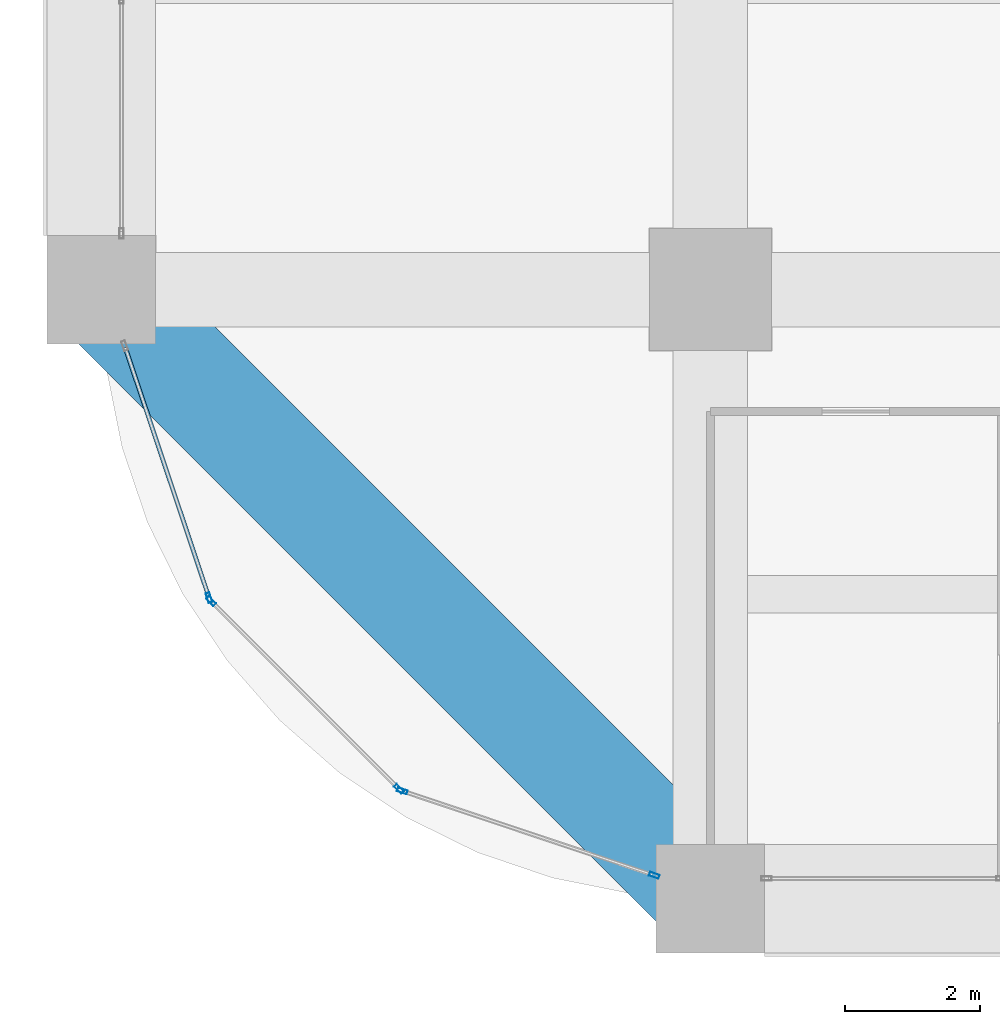
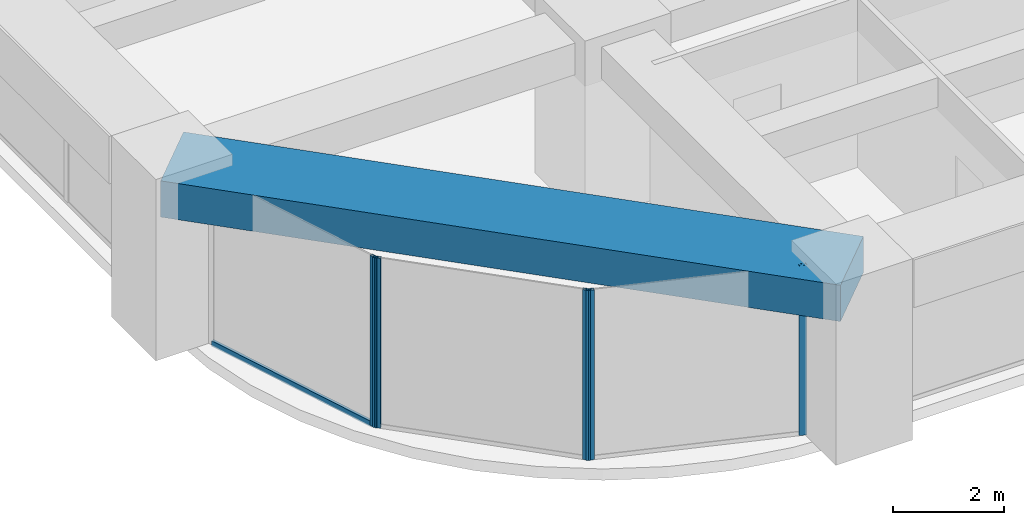
# One storey, part 2 of 42: 6 members, 1 beam, 3 elements without a shape of their own.
"""IFC4 building model written with IfcOpenShell, lengths in metres."""

from ifc_helpers import new_model, si_unit, direction, frame, origin, origin_2d, place, context, subcontext, project, spatial, rectangle, hollow_rectangle, extrude, material, material_profile, profile_set, type_object, element, aggregate, save


model = new_model("IFC4")

# Units and contexts
model_context = context("Model", 3, precision=1e-05, world=origin(), true_north=direction((0.0, 1.0)))
body_context = subcontext(model_context, "Body", "Model", "MODEL_VIEW")
ifc_project = project(units=[si_unit("LENGTHUNIT", "METRE"), si_unit("AREAUNIT", "SQUARE_METRE"), si_unit("VOLUMEUNIT", "CUBIC_METRE"), si_unit("PLANEANGLEUNIT", "RADIAN"), si_unit("MASSUNIT", "GRAM", prefix="KILO")], contexts=[model_context])

# Site, building, storey
site_placement = place(None, origin())
site = spatial("IfcSite", under=ifc_project, at=site_placement, CompositionType="ELEMENT")
building_placement = place(site_placement, origin())
building = spatial("IfcBuilding", under=site, at=building_placement, Name="Zorevar Civic Tower", CompositionType="ELEMENT")
storey_placement = place(building_placement, frame((0.0, 0.0, 149.0)))
storey = spatial("IfcBuildingStorey", under=building, at=storey_placement, Name="L36", CompositionType="ELEMENT", Elevation=149.0)

# Curtain wall, member
ifc_material_1 = material(Name="Dark grey solar-control glass in black aluminium frame", Category="aluminium")
curtain_wall_type = type_object("IfcCurtainWallType", Name="Curtain wall CW3 mid zone", PredefinedType="NOTDEFINED", material=ifc_material_1)
curtain_wall_1_placement = place(storey_placement, origin())
curtain_wall_1 = element("IfcCurtainWall", 1, at=curtain_wall_1_placement, inside=storey, type_object=curtain_wall_type, Name="CW3 L36", PredefinedType="NOTDEFINED")
ifc_material_2 = material(Name="Aluminium, black anodised", Category="aluminium")
ifc_material_profile_1 = material_profile(ifc_material_2, hollow_rectangle(XDim=0.06005859375, YDim=0.14990234375, WallThickness=0.00390625, at=origin_2d()), Name="AL 150x60x4")
ifc_profile_set_1 = profile_set([ifc_material_profile_1], Name="Aluminium, black anodised")
member_type_1 = type_object("IfcMemberType", Name="CW3 mullion AL 150x60x4", PredefinedType="MULLION", material=ifc_profile_set_1)
member_1_placement = place(storey_placement, frame((1.59326171875, 4.44921875, 0.0), z_axis=(0.0, 0.0, 1.0), x_axis=(0.948227238701, 0.317592669603, 0.0)))
member_1 = element("IfcMember", 2, at=member_1_placement, type_object=member_type_1, Name="CW3 mullion 2", PredefinedType="MULLION", context=body_context, shape_type="SweptSolid", body=[
    extrude(hollow_rectangle(XDim=0.06005859375, YDim=0.14990234375, WallThickness=0.00390625, at=origin_2d()), origin(), (0.0, 0.0, 1.0), 3.75),
])

# Curtain wall, members
curtain_wall_2_placement = place(storey_placement, origin())
curtain_wall_2 = element("IfcCurtainWall", 3, at=curtain_wall_2_placement, inside=storey, type_object=curtain_wall_type, Name="CW3 L36", PredefinedType="NOTDEFINED")
member_2_placement = place(storey_placement, frame((1.6240234375, 4.399658203125, 0.0), z_axis=(0.0, 0.0, 1.0), x_axis=(0.707106781187, 0.707106781187, 0.0)))
member_2 = element("IfcMember", 4, at=member_2_placement, type_object=member_type_1, Name="CW3 mullion 1", PredefinedType="MULLION", context=body_context, shape_type="SweptSolid", body=[
    extrude(hollow_rectangle(XDim=0.06005859375, YDim=0.14990234375, WallThickness=0.00390625, at=origin_2d()), origin(), (0.0, 0.0, 1.0), 3.75),
])
member_3_placement = place(storey_placement, frame((4.399658203125, 1.6240234375, 0.0), z_axis=(0.0, 0.0, 1.0), x_axis=(0.707106781187, 0.707106781187, 0.0)))
member_3 = element("IfcMember", 5, at=member_3_placement, type_object=member_type_1, Name="CW3 mullion 2", PredefinedType="MULLION", context=body_context, shape_type="SweptSolid", body=[
    extrude(hollow_rectangle(XDim=0.06005859375, YDim=0.14990234375, WallThickness=0.00390625, at=origin_2d()), origin(), (0.0, 0.0, 1.0), 3.75),
])
aggregate(curtain_wall_2, [member_2, member_3])

curtain_wall_3_placement = place(storey_placement, origin())
curtain_wall_3 = element("IfcCurtainWall", 6, at=curtain_wall_3_placement, inside=storey, type_object=curtain_wall_type, Name="CW3 L36", PredefinedType="NOTDEFINED")
member_4_placement = place(storey_placement, frame((4.44921875, 1.59326171875, 0.0), z_axis=(0.0, 0.0, 1.0), x_axis=(0.317592669603, 0.948227238701, 0.0)))
member_4 = element("IfcMember", 7, at=member_4_placement, type_object=member_type_1, Name="CW3 mullion 1", PredefinedType="MULLION", context=body_context, shape_type="SweptSolid", body=[
    extrude(hollow_rectangle(XDim=0.06005859375, YDim=0.14990234375, WallThickness=0.00390625, at=origin_2d()), origin(), (0.0, 0.0, 1.0), 3.75),
])
member_5_placement = place(storey_placement, frame((8.171630859375, 0.346435546875, 0.0), z_axis=(0.0, 0.0, 1.0), x_axis=(0.317592669603, 0.948227238701, 0.0)))
member_5 = element("IfcMember", 8, at=member_5_placement, type_object=member_type_1, Name="CW3 mullion 2", PredefinedType="MULLION", context=body_context, shape_type="SweptSolid", body=[
    extrude(hollow_rectangle(XDim=0.06005859375, YDim=0.14990234375, WallThickness=0.00390625, at=origin_2d()), origin(), (0.0, 0.0, 1.0), 3.75),
])
aggregate(curtain_wall_3, [member_4, member_5])

# Member
ifc_material_3 = material(Name="Aluminium, black anodised", Category="aluminium")
ifc_material_profile_2 = material_profile(ifc_material_3, hollow_rectangle(XDim=0.06005859375, YDim=0.1201171875, WallThickness=0.0029296875, at=origin_2d()), Name="AL 120x60x3")
ifc_profile_set_2 = profile_set([ifc_material_profile_2], Name="Aluminium, black anodised")
member_type_2 = type_object("IfcMemberType", Name="CW3 transom AL 120x60x3", PredefinedType="USERDEFINED", material=ifc_profile_set_2)
member_6_placement = place(storey_placement, frame((0.35595703125, 8.14306640625, 0.030029296875), z_axis=(0.317629563458, -0.94821488093, 0.0), x_axis=(0.94821488093, 0.317629563458, 0.0)))
member_6 = element("IfcMember", 9, at=member_6_placement, type_object=member_type_2, Name="CW3 sill transom", ObjectType="TRANSOM", PredefinedType="USERDEFINED", context=body_context, shape_type="SweptSolid", body=[
    extrude(hollow_rectangle(XDim=0.06005859375, YDim=0.1201171875, WallThickness=0.0029296875, at=origin_2d()), origin(), (0.0, 0.0, 1.0), 3.865478515625),
])

aggregate(curtain_wall_1, [member_1, member_6])

# Beam
ifc_material_4 = material(Name="Concrete C50/60", Category="concrete")
ifc_material_profile_3 = material_profile(ifc_material_4, rectangle(XDim=1.60009765625, YDim=0.800048828125, at=origin_2d()), Name="RC 1600x800")
ifc_profile_set_3 = profile_set([ifc_material_profile_3], Name="Concrete C50/60")
beam_type = type_object("IfcBeamType", Name="Edge beam RC 1600x800", PredefinedType="SPANDREL", material=ifc_profile_set_3)
beam_placement = place(storey_placement, frame((0.0, 9.0, 3.35009765625), z_axis=(0.707106781187, -0.707106781187, 0.0), x_axis=(0.707106781187, 0.707106781187, 0.0)))
element("IfcBeam", 10, at=beam_placement, inside=storey, type_object=beam_type, Name="Corner edge beam L37", PredefinedType="SPANDREL", context=body_context, shape_type="SweptSolid", body=[
    extrude(rectangle(XDim=1.60009765625, YDim=0.800048828125, at=origin_2d()), origin(), (0.0, 0.0, 1.0), 12.72802734375),
])

save(model, "model.ifc")
